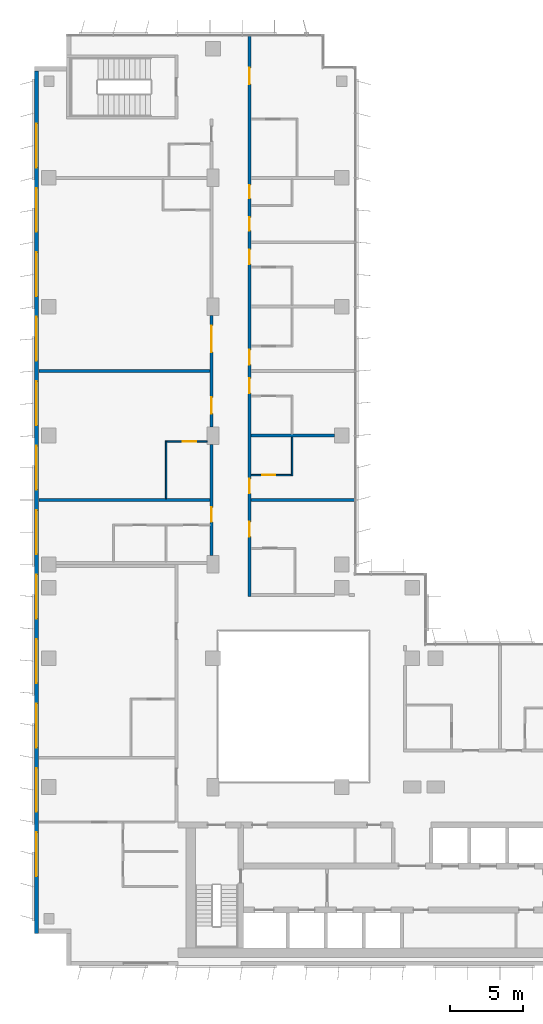
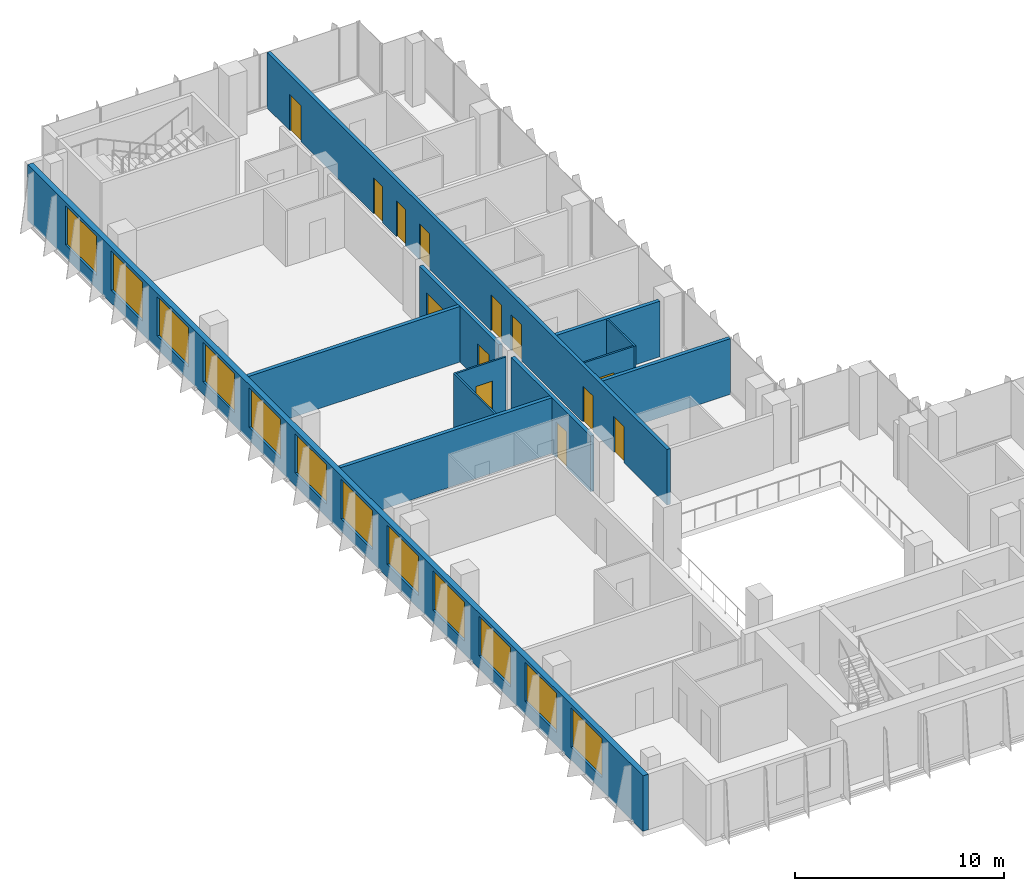
# One storey, part 16 of 21: 13 doors, 12 walls, 12 windows, 25 openings.
"""IFC4 building model written with IfcOpenShell, lengths in metres."""

from ifc_helpers import new_model, si_unit, direction, frame, frame_2d, origin, place, context, subcontext, project, spatial, rectangle, extrude, material, layer, layer_set, type_object, element, fill, save


model = new_model("IFC4")

# Units and contexts
model_context = context("Model", 3, precision=1e-05, world=origin(), true_north=direction((0.0, 1.0)))
body_context = subcontext(model_context, "Body", "Model", "MODEL_VIEW")
ifc_project = project(units=[si_unit("LENGTHUNIT", "METRE"), si_unit("AREAUNIT", "SQUARE_METRE"), si_unit("VOLUMEUNIT", "CUBIC_METRE"), si_unit("PLANEANGLEUNIT", "RADIAN"), si_unit("MASSUNIT", "GRAM", prefix="KILO")], contexts=[model_context])

# Site, building, storey
site_placement = place(None, origin())
site = spatial("IfcSite", under=ifc_project, at=site_placement, CompositionType="ELEMENT")
building_placement = place(site_placement, origin())
building = spatial("IfcBuilding", under=site, at=building_placement, Name="Kemantara Hotel Tower", CompositionType="ELEMENT")
storey_placement = place(building_placement, frame((0.0, 0.0, 219.10009765625)))
storey = spatial("IfcBuildingStorey", under=building, at=storey_placement, Name="L54", CompositionType="ELEMENT", Elevation=219.10009765625)

# Wall, openings, windows
ifc_material_1 = material(Name="Bronze anodised aluminium cladding on insulated steel stud wall", Category="steel")
ifc_layer_1 = layer(ifc_material_1, 0.300048828125)
ifc_layer_set_1 = layer_set([ifc_layer_1], Name="Bronze anodised aluminium cladding on insulated steel stud wall")
wall_type_1 = type_object("IfcWallType", Name="BRONZE METAL-CLAD EXTERNAL WALL 300", PredefinedType="STANDARD", material=ifc_layer_set_1)
wall_1_placement = place(storey_placement, frame((0.14990234375, 61.10009765625, 0.0), z_axis=(0.0, 0.0, 1.0), x_axis=(0.0, -1.0, 0.0)))
wall_1 = element("IfcWall", 1, at=wall_1_placement, inside=storey, type_object=wall_type_1, Name="EXTERNAL WALL L54 T3-R05", PredefinedType="STANDARD", context=body_context, shape_type="SweptSolid", body=[
    extrude(rectangle(XDim=58.900146484375, YDim=0.300048828125, at=frame_2d((29.4501953125, 0.0))), origin(), (0.0, 0.0, 1.0), 3.25),
])
opening_1_placement = place(wall_1_placement, frame((3.60009765625, 0.0, 0.75)))
opening_1 = element("IfcOpeningElement", 2, at=opening_1_placement, cuts=wall_1, Name="Opening W1", PredefinedType="OPENING", context=body_context, shape_type="SweptSolid", body=[
    extrude(rectangle(XDim=3.0, YDim=2.300048828125, at=frame_2d((1.5, 1.14990234375))), frame((0.0, 0.159912109375, 0.0), z_axis=(0.0, -1.0, 0.0), x_axis=(1.0, 0.0, 0.0)), (0.0, 0.0, 1.0), 0.320068359375),
])
opening_2_placement = place(wall_1_placement, frame((8.0, 0.0, 0.75)))
opening_2 = element("IfcOpeningElement", 3, at=opening_2_placement, cuts=wall_1, Name="Opening W1", PredefinedType="OPENING", context=body_context, shape_type="SweptSolid", body=[
    extrude(rectangle(XDim=3.0, YDim=2.300048828125, at=frame_2d((1.5, 1.14990234375))), frame((0.0, 0.159912109375, 0.0), z_axis=(0.0, -1.0, 0.0), x_axis=(1.0, 0.0, 0.0)), (0.0, 0.0, 1.0), 0.320068359375),
])
opening_3_placement = place(wall_1_placement, frame((12.39990234375, 0.0, 0.75)))
opening_3 = element("IfcOpeningElement", 4, at=opening_3_placement, cuts=wall_1, Name="Opening W1", PredefinedType="OPENING", context=body_context, shape_type="SweptSolid", body=[
    extrude(rectangle(XDim=3.0, YDim=2.300048828125, at=frame_2d((1.5, 1.14990234375))), frame((0.0, 0.159912109375, 0.0), z_axis=(0.0, -1.0, 0.0), x_axis=(1.0, 0.0, 0.0)), (0.0, 0.0, 1.0), 0.320068359375),
])
opening_4_placement = place(wall_1_placement, frame((16.800048828125, 0.0, 0.75)))
opening_4 = element("IfcOpeningElement", 5, at=opening_4_placement, cuts=wall_1, Name="Opening W1", PredefinedType="OPENING", context=body_context, shape_type="SweptSolid", body=[
    extrude(rectangle(XDim=3.0, YDim=2.300048828125, at=frame_2d((1.5, 1.14990234375))), frame((0.0, 0.159912109375, 0.0), z_axis=(0.0, -1.0, 0.0), x_axis=(1.0, 0.0, 0.0)), (0.0, 0.0, 1.0), 0.320068359375),
])
opening_5_placement = place(wall_1_placement, frame((21.199951171875, 0.0, 0.75)))
opening_5 = element("IfcOpeningElement", 6, at=opening_5_placement, cuts=wall_1, Name="Opening W1", PredefinedType="OPENING", context=body_context, shape_type="SweptSolid", body=[
    extrude(rectangle(XDim=3.0, YDim=2.300048828125, at=frame_2d((1.5, 1.14990234375))), frame((0.0, 0.159912109375, 0.0), z_axis=(0.0, -1.0, 0.0), x_axis=(1.0, 0.0, 0.0)), (0.0, 0.0, 1.0), 0.320068359375),
])
opening_6_placement = place(wall_1_placement, frame((25.60009765625, 0.0, 0.75)))
opening_6 = element("IfcOpeningElement", 7, at=opening_6_placement, cuts=wall_1, Name="Opening W1", PredefinedType="OPENING", context=body_context, shape_type="SweptSolid", body=[
    extrude(rectangle(XDim=3.0, YDim=2.300048828125, at=frame_2d((1.5, 1.14990234375))), frame((0.0, 0.159912109375, 0.0), z_axis=(0.0, -1.0, 0.0), x_axis=(1.0, 0.0, 0.0)), (0.0, 0.0, 1.0), 0.320068359375),
])
opening_7_placement = place(wall_1_placement, frame((30.0, 0.0, 0.75)))
opening_7 = element("IfcOpeningElement", 8, at=opening_7_placement, cuts=wall_1, Name="Opening W1", PredefinedType="OPENING", context=body_context, shape_type="SweptSolid", body=[
    extrude(rectangle(XDim=3.0, YDim=2.300048828125, at=frame_2d((1.5, 1.14990234375))), frame((0.0, 0.159912109375, 0.0), z_axis=(0.0, -1.0, 0.0), x_axis=(1.0, 0.0, 0.0)), (0.0, 0.0, 1.0), 0.320068359375),
])
opening_8_placement = place(wall_1_placement, frame((34.39990234375, 0.0, 0.75)))
opening_8 = element("IfcOpeningElement", 9, at=opening_8_placement, cuts=wall_1, Name="Opening W1", PredefinedType="OPENING", context=body_context, shape_type="SweptSolid", body=[
    extrude(rectangle(XDim=3.0, YDim=2.300048828125, at=frame_2d((1.5, 1.14990234375))), frame((0.0, 0.159912109375, 0.0), z_axis=(0.0, -1.0, 0.0), x_axis=(1.0, 0.0, 0.0)), (0.0, 0.0, 1.0), 0.320068359375),
])
opening_9_placement = place(wall_1_placement, frame((38.800048828125, 0.0, 0.75)))
opening_9 = element("IfcOpeningElement", 10, at=opening_9_placement, cuts=wall_1, Name="Opening W1", PredefinedType="OPENING", context=body_context, shape_type="SweptSolid", body=[
    extrude(rectangle(XDim=3.0, YDim=2.300048828125, at=frame_2d((1.5, 1.14990234375))), frame((0.0, 0.159912109375, 0.0), z_axis=(0.0, -1.0, 0.0), x_axis=(1.0, 0.0, 0.0)), (0.0, 0.0, 1.0), 0.320068359375),
])
opening_10_placement = place(wall_1_placement, frame((43.199951171875, 0.0, 0.75)))
opening_10 = element("IfcOpeningElement", 11, at=opening_10_placement, cuts=wall_1, Name="Opening W1", PredefinedType="OPENING", context=body_context, shape_type="SweptSolid", body=[
    extrude(rectangle(XDim=3.0, YDim=2.300048828125, at=frame_2d((1.5, 1.14990234375))), frame((0.0, 0.159912109375, 0.0), z_axis=(0.0, -1.0, 0.0), x_axis=(1.0, 0.0, 0.0)), (0.0, 0.0, 1.0), 0.320068359375),
])
opening_11_placement = place(wall_1_placement, frame((47.60009765625, 0.0, 0.75)))
opening_11 = element("IfcOpeningElement", 12, at=opening_11_placement, cuts=wall_1, Name="Opening W1", PredefinedType="OPENING", context=body_context, shape_type="SweptSolid", body=[
    extrude(rectangle(XDim=3.0, YDim=2.300048828125, at=frame_2d((1.5, 1.14990234375))), frame((0.0, 0.159912109375, 0.0), z_axis=(0.0, -1.0, 0.0), x_axis=(1.0, 0.0, 0.0)), (0.0, 0.0, 1.0), 0.320068359375),
])
opening_12_placement = place(wall_1_placement, frame((52.0, 0.0, 0.75)))
opening_12 = element("IfcOpeningElement", 13, at=opening_12_placement, cuts=wall_1, Name="Opening W1", PredefinedType="OPENING", context=body_context, shape_type="SweptSolid", body=[
    extrude(rectangle(XDim=3.0, YDim=2.300048828125, at=frame_2d((1.5, 1.14990234375))), frame((0.0, 0.159912109375, 0.0), z_axis=(0.0, -1.0, 0.0), x_axis=(1.0, 0.0, 0.0)), (0.0, 0.0, 1.0), 0.320068359375),
])
ifc_material_2 = material(Name="Low-E tinted double insulated glass in bronze anodised aluminium frame", Category="aluminium")
window_type = type_object("IfcWindowType", Name="CHICAGO WINDOW, TRIPLE PANEL 3000x2300", PartitioningType="TRIPLE_PANEL_VERTICAL", PredefinedType="WINDOW", material=ifc_material_2)
window_1_placement = place(opening_1_placement, origin())
window_1 = element("IfcWindow", 14, at=window_1_placement, inside=storey, type_object=window_type, Name="CHICAGO WINDOW L54 T3-R05-54", OverallHeight=2.300048828125, OverallWidth=3.0, PartitioningType="SINGLE_PANEL", PredefinedType="WINDOW", context=body_context, shape_type="SweptSolid", body=[
    extrude(rectangle(XDim=3.0, YDim=2.300048828125, at=frame_2d((1.5, 1.14990234375))), frame((0.0, 0.030029296875, 0.0), z_axis=(0.0, -1.0, 0.0), x_axis=(1.0, 0.0, 0.0)), (0.0, 0.0, 1.0), 0.06005859375),
])
fill(opening_1, window_1)
window_2_placement = place(opening_2_placement, origin())
window_2 = element("IfcWindow", 15, at=window_2_placement, inside=storey, type_object=window_type, Name="CHICAGO WINDOW L54 T3-R05-98", OverallHeight=2.300048828125, OverallWidth=3.0, PartitioningType="SINGLE_PANEL", PredefinedType="WINDOW", context=body_context, shape_type="SweptSolid", body=[
    extrude(rectangle(XDim=3.0, YDim=2.300048828125, at=frame_2d((1.5, 1.14990234375))), frame((0.0, 0.030029296875, 0.0), z_axis=(0.0, -1.0, 0.0), x_axis=(1.0, 0.0, 0.0)), (0.0, 0.0, 1.0), 0.06005859375),
])
fill(opening_2, window_2)
window_3_placement = place(opening_3_placement, origin())
window_3 = element("IfcWindow", 16, at=window_3_placement, inside=storey, type_object=window_type, Name="CHICAGO WINDOW L54 T3-R05-142", OverallHeight=2.300048828125, OverallWidth=3.0, PartitioningType="SINGLE_PANEL", PredefinedType="WINDOW", context=body_context, shape_type="SweptSolid", body=[
    extrude(rectangle(XDim=3.0, YDim=2.300048828125, at=frame_2d((1.5, 1.14990234375))), frame((0.0, 0.030029296875, 0.0), z_axis=(0.0, -1.0, 0.0), x_axis=(1.0, 0.0, 0.0)), (0.0, 0.0, 1.0), 0.06005859375),
])
fill(opening_3, window_3)
window_4_placement = place(opening_4_placement, origin())
window_4 = element("IfcWindow", 17, at=window_4_placement, inside=storey, type_object=window_type, Name="CHICAGO WINDOW L54 T3-R05-186", OverallHeight=2.300048828125, OverallWidth=3.0, PartitioningType="SINGLE_PANEL", PredefinedType="WINDOW", context=body_context, shape_type="SweptSolid", body=[
    extrude(rectangle(XDim=3.0, YDim=2.300048828125, at=frame_2d((1.5, 1.14990234375))), frame((0.0, 0.030029296875, 0.0), z_axis=(0.0, -1.0, 0.0), x_axis=(1.0, 0.0, 0.0)), (0.0, 0.0, 1.0), 0.06005859375),
])
fill(opening_4, window_4)
window_5_placement = place(opening_5_placement, origin())
window_5 = element("IfcWindow", 18, at=window_5_placement, inside=storey, type_object=window_type, Name="CHICAGO WINDOW L54 T3-R05-230", OverallHeight=2.300048828125, OverallWidth=3.0, PartitioningType="SINGLE_PANEL", PredefinedType="WINDOW", context=body_context, shape_type="SweptSolid", body=[
    extrude(rectangle(XDim=3.0, YDim=2.300048828125, at=frame_2d((1.5, 1.14990234375))), frame((0.0, 0.030029296875, 0.0), z_axis=(0.0, -1.0, 0.0), x_axis=(1.0, 0.0, 0.0)), (0.0, 0.0, 1.0), 0.06005859375),
])
fill(opening_5, window_5)
window_6_placement = place(opening_6_placement, origin())
window_6 = element("IfcWindow", 19, at=window_6_placement, inside=storey, type_object=window_type, Name="CHICAGO WINDOW L54 T3-R05-274", OverallHeight=2.300048828125, OverallWidth=3.0, PartitioningType="SINGLE_PANEL", PredefinedType="WINDOW", context=body_context, shape_type="SweptSolid", body=[
    extrude(rectangle(XDim=3.0, YDim=2.300048828125, at=frame_2d((1.5, 1.14990234375))), frame((0.0, 0.030029296875, 0.0), z_axis=(0.0, -1.0, 0.0), x_axis=(1.0, 0.0, 0.0)), (0.0, 0.0, 1.0), 0.06005859375),
])
fill(opening_6, window_6)
window_7_placement = place(opening_7_placement, origin())
window_7 = element("IfcWindow", 20, at=window_7_placement, inside=storey, type_object=window_type, Name="CHICAGO WINDOW L54 T3-R05-318", OverallHeight=2.300048828125, OverallWidth=3.0, PartitioningType="SINGLE_PANEL", PredefinedType="WINDOW", context=body_context, shape_type="SweptSolid", body=[
    extrude(rectangle(XDim=3.0, YDim=2.300048828125, at=frame_2d((1.5, 1.14990234375))), frame((0.0, 0.030029296875, 0.0), z_axis=(0.0, -1.0, 0.0), x_axis=(1.0, 0.0, 0.0)), (0.0, 0.0, 1.0), 0.06005859375),
])
fill(opening_7, window_7)
window_8_placement = place(opening_8_placement, origin())
window_8 = element("IfcWindow", 21, at=window_8_placement, inside=storey, type_object=window_type, Name="CHICAGO WINDOW L54 T3-R05-362", OverallHeight=2.300048828125, OverallWidth=3.0, PartitioningType="SINGLE_PANEL", PredefinedType="WINDOW", context=body_context, shape_type="SweptSolid", body=[
    extrude(rectangle(XDim=3.0, YDim=2.300048828125, at=frame_2d((1.5, 1.14990234375))), frame((0.0, 0.030029296875, 0.0), z_axis=(0.0, -1.0, 0.0), x_axis=(1.0, 0.0, 0.0)), (0.0, 0.0, 1.0), 0.06005859375),
])
fill(opening_8, window_8)
window_9_placement = place(opening_9_placement, origin())
window_9 = element("IfcWindow", 22, at=window_9_placement, inside=storey, type_object=window_type, Name="CHICAGO WINDOW L54 T3-R05-406", OverallHeight=2.300048828125, OverallWidth=3.0, PartitioningType="SINGLE_PANEL", PredefinedType="WINDOW", context=body_context, shape_type="SweptSolid", body=[
    extrude(rectangle(XDim=3.0, YDim=2.300048828125, at=frame_2d((1.5, 1.14990234375))), frame((0.0, 0.030029296875, 0.0), z_axis=(0.0, -1.0, 0.0), x_axis=(1.0, 0.0, 0.0)), (0.0, 0.0, 1.0), 0.06005859375),
])
fill(opening_9, window_9)
window_10_placement = place(opening_10_placement, origin())
window_10 = element("IfcWindow", 23, at=window_10_placement, inside=storey, type_object=window_type, Name="CHICAGO WINDOW L54 T3-R05-450", OverallHeight=2.300048828125, OverallWidth=3.0, PartitioningType="SINGLE_PANEL", PredefinedType="WINDOW", context=body_context, shape_type="SweptSolid", body=[
    extrude(rectangle(XDim=3.0, YDim=2.300048828125, at=frame_2d((1.5, 1.14990234375))), frame((0.0, 0.030029296875, 0.0), z_axis=(0.0, -1.0, 0.0), x_axis=(1.0, 0.0, 0.0)), (0.0, 0.0, 1.0), 0.06005859375),
])
fill(opening_10, window_10)
window_11_placement = place(opening_11_placement, origin())
window_11 = element("IfcWindow", 24, at=window_11_placement, inside=storey, type_object=window_type, Name="CHICAGO WINDOW L54 T3-R05-494", OverallHeight=2.300048828125, OverallWidth=3.0, PartitioningType="SINGLE_PANEL", PredefinedType="WINDOW", context=body_context, shape_type="SweptSolid", body=[
    extrude(rectangle(XDim=3.0, YDim=2.300048828125, at=frame_2d((1.5, 1.14990234375))), frame((0.0, 0.030029296875, 0.0), z_axis=(0.0, -1.0, 0.0), x_axis=(1.0, 0.0, 0.0)), (0.0, 0.0, 1.0), 0.06005859375),
])
fill(opening_11, window_11)
window_12_placement = place(opening_12_placement, origin())
window_12 = element("IfcWindow", 25, at=window_12_placement, inside=storey, type_object=window_type, Name="CHICAGO WINDOW L54 T3-R05-538", OverallHeight=2.300048828125, OverallWidth=3.0, PartitioningType="SINGLE_PANEL", PredefinedType="WINDOW", context=body_context, shape_type="SweptSolid", body=[
    extrude(rectangle(XDim=3.0, YDim=2.300048828125, at=frame_2d((1.5, 1.14990234375))), frame((0.0, 0.030029296875, 0.0), z_axis=(0.0, -1.0, 0.0), x_axis=(1.0, 0.0, 0.0)), (0.0, 0.0, 1.0), 0.06005859375),
])
fill(opening_12, window_12)

# Wall, opening, door
ifc_material_3 = material(Name="Gypsum board partition, steel studs and mineral wool, 200 mm", Category="steel")
ifc_layer_2 = layer(ifc_material_3, 0.199951171875)
ifc_layer_set_2 = layer_set([ifc_layer_2], Name="Gypsum board partition, steel studs and mineral wool, 200 mm")
wall_type_2 = type_object("IfcWallType", Name="CORRIDOR WALL 200", PredefinedType="PARTITIONING", material=ifc_layer_set_2)
wall_2_placement = place(storey_placement, frame((12.10009765625, 28.0, 0.0), z_axis=(0.0, 0.0, 1.0), x_axis=(0.0, 1.0, 0.0)))
wall_2 = element("IfcWall", 26, at=wall_2_placement, inside=storey, type_object=wall_type_2, Name="CORRIDOR WALL 200 017", PredefinedType="PARTITIONING", context=body_context, shape_type="SweptSolid", body=[
    extrude(rectangle(XDim=7.599853515625, YDim=0.199951171875, at=frame_2d((3.7998046875, 0.0))), origin(), (0.0, 0.0, 1.0), 3.25),
])
opening_13_placement = place(wall_2_placement, frame((2.2998046875, 0.0, 0.0)))
opening_13 = element("IfcOpeningElement", 27, at=opening_13_placement, cuts=wall_2, Name="Opening F26-025", PredefinedType="OPENING", context=body_context, shape_type="SweptSolid", body=[
    extrude(rectangle(XDim=1.0, YDim=2.10009765625, at=frame_2d((0.5, 1.050048828125))), frame((0.0, 0.10986328125, 0.0), z_axis=(0.0, -1.0, 0.0), x_axis=(1.0, 0.0, 0.0)), (0.0, 0.0, 1.0), 0.219970703125),
])
ifc_material_4 = material(Name="Hardwood veneer door leaf with steel frame", Category="steel")
door_type_1 = type_object("IfcDoorType", Name="GUEST ROOM DOOR 1000 X 2100 FD30S", OperationType="NOTDEFINED", PredefinedType="DOOR", material=ifc_material_4)
door_1_placement = place(opening_13_placement, origin())
door_1 = element("IfcDoor", 28, at=door_1_placement, inside=storey, type_object=door_type_1, Name="GUEST ROOM DOOR F26-025", OperationType="SINGLE_SWING_RIGHT", OverallHeight=2.10009765625, OverallWidth=1.0, PredefinedType="DOOR", context=body_context, shape_type="SweptSolid", body=[
    extrude(rectangle(XDim=1.0, YDim=2.10009765625, at=frame_2d((0.5, 1.050048828125))), frame((0.0, 0.02490234375, 0.0), z_axis=(0.0, -1.0, 0.0), x_axis=(1.0, 0.0, 0.0)), (0.0, 0.0, 1.0), 0.050048828125),
])
fill(opening_13, door_1)

# Wall, openings, doors
wall_3_placement = place(storey_placement, frame((12.10009765625, 36.800048828125, 0.0), z_axis=(0.0, 0.0, 1.0), x_axis=(0.0, 1.0, 0.0)))
wall_3 = element("IfcWall", 29, at=wall_3_placement, inside=storey, type_object=wall_type_2, Name="CORRIDOR WALL 200 018", PredefinedType="PARTITIONING", context=body_context, shape_type="SweptSolid", body=[
    extrude(rectangle(XDim=7.599853515625, YDim=0.199951171875, at=frame_2d((3.7998046875, 0.0))), origin(), (0.0, 0.0, 1.0), 3.25),
])
opening_14_placement = place(wall_3_placement, frame((0.89990234375, 0.0, 0.0)))
opening_14 = element("IfcOpeningElement", 30, at=opening_14_placement, cuts=wall_3, Name="Opening F26-028", PredefinedType="OPENING", context=body_context, shape_type="SweptSolid", body=[
    extrude(rectangle(XDim=1.10009765625, YDim=2.10009765625, at=frame_2d((0.550048828125, 1.050048828125))), frame((0.0, 0.10986328125, 0.0), z_axis=(0.0, -1.0, 0.0), x_axis=(1.0, 0.0, 0.0)), (0.0, 0.0, 1.0), 0.219970703125),
])
opening_15_placement = place(wall_3_placement, frame((5.099853515625, 0.0, 0.0)))
opening_15 = element("IfcOpeningElement", 31, at=opening_15_placement, cuts=wall_3, Name="Opening F26-030", PredefinedType="OPENING", context=body_context, shape_type="SweptSolid", body=[
    extrude(rectangle(XDim=1.800048828125, YDim=2.10009765625, at=frame_2d((0.89990234375, 1.050048828125))), frame((0.0, 0.10986328125, 0.0), z_axis=(0.0, -1.0, 0.0), x_axis=(1.0, 0.0, 0.0)), (0.0, 0.0, 1.0), 0.219970703125),
])
door_type_2 = type_object("IfcDoorType", Name="GUEST ROOM DOOR 1800 X 2100 FD30S", OperationType="NOTDEFINED", PredefinedType="DOOR", material=ifc_material_4)
door_2_placement = place(opening_15_placement, origin())
door_2 = element("IfcDoor", 32, at=door_2_placement, inside=storey, type_object=door_type_2, Name="GUEST ROOM DOOR F26-030", OperationType="DOUBLE_DOOR_SINGLE_SWING", OverallHeight=2.10009765625, OverallWidth=1.800048828125, PredefinedType="DOOR", context=body_context, shape_type="SweptSolid", body=[
    extrude(rectangle(XDim=1.800048828125, YDim=2.10009765625, at=frame_2d((0.89990234375, 1.050048828125))), frame((0.0, 0.02490234375, 0.0), z_axis=(0.0, -1.0, 0.0), x_axis=(1.0, 0.0, 0.0)), (0.0, 0.0, 1.0), 0.050048828125),
])
fill(opening_15, door_2)
door_type_3 = type_object("IfcDoorType", Name="SUITE ENTRANCE DOOR 1100 X 2100 FD30S", OperationType="NOTDEFINED", PredefinedType="DOOR", material=ifc_material_4)
door_3_placement = place(opening_14_placement, origin())
door_3 = element("IfcDoor", 33, at=door_3_placement, inside=storey, type_object=door_type_3, Name="SUITE ENTRANCE DOOR F26-028", OperationType="SINGLE_SWING_RIGHT", OverallHeight=2.10009765625, OverallWidth=1.10009765625, PredefinedType="DOOR", context=body_context, shape_type="SweptSolid", body=[
    extrude(rectangle(XDim=1.10009765625, YDim=2.10009765625, at=frame_2d((0.550048828125, 1.050048828125))), frame((0.0, 0.02490234375, 0.0), z_axis=(0.0, -1.0, 0.0), x_axis=(1.0, 0.0, 0.0)), (0.0, 0.0, 1.0), 0.050048828125),
])
fill(opening_14, door_3)

wall_4_placement = place(storey_placement, frame((14.699951171875, 63.47998046875, 0.0), z_axis=(0.0, 0.0, 1.0), x_axis=(0.0, -1.0, 0.0)))
wall_4 = element("IfcWall", 34, at=wall_4_placement, inside=storey, type_object=wall_type_2, Name="CORRIDOR WALL 200 028", PredefinedType="PARTITIONING", context=body_context, shape_type="SweptSolid", body=[
    extrude(rectangle(XDim=38.280029296875, YDim=0.199951171875, at=frame_2d((19.14013671875, 0.0))), origin(), (0.0, 0.0, 1.0), 3.25),
])
opening_16_placement = place(wall_4_placement, frame((33.179931640625, 0.0, 0.0)))
opening_16 = element("IfcOpeningElement", 35, at=opening_16_placement, cuts=wall_4, Name="Opening F26-034", PredefinedType="OPENING", context=body_context, shape_type="SweptSolid", body=[
    extrude(rectangle(XDim=1.0, YDim=2.10009765625, at=frame_2d((0.5, 1.050048828125))), frame((0.0, 0.10986328125, 0.0), z_axis=(0.0, -1.0, 0.0), x_axis=(1.0, 0.0, 0.0)), (0.0, 0.0, 1.0), 0.219970703125),
])
opening_17_placement = place(wall_4_placement, frame((30.22998046875, 0.0, 0.0)))
opening_17 = element("IfcOpeningElement", 36, at=opening_17_placement, cuts=wall_4, Name="Opening F26-036", PredefinedType="OPENING", context=body_context, shape_type="SweptSolid", body=[
    extrude(rectangle(XDim=1.0, YDim=2.10009765625, at=frame_2d((0.5, 1.050048828125))), frame((0.0, 0.10986328125, 0.0), z_axis=(0.0, -1.0, 0.0), x_axis=(1.0, 0.0, 0.0)), (0.0, 0.0, 1.0), 0.219970703125),
])
opening_18_placement = place(wall_4_placement, frame((23.3798828125, 0.0, 0.0)))
opening_18 = element("IfcOpeningElement", 37, at=opening_18_placement, cuts=wall_4, Name="Opening F26-038", PredefinedType="OPENING", context=body_context, shape_type="SweptSolid", body=[
    extrude(rectangle(XDim=1.0, YDim=2.10009765625, at=frame_2d((0.5, 1.050048828125))), frame((0.0, 0.10986328125, 0.0), z_axis=(0.0, -1.0, 0.0), x_axis=(1.0, 0.0, 0.0)), (0.0, 0.0, 1.0), 0.219970703125),
])
opening_19_placement = place(wall_4_placement, frame((21.429931640625, 0.0, 0.0)))
opening_19 = element("IfcOpeningElement", 38, at=opening_19_placement, cuts=wall_4, Name="Opening F26-040", PredefinedType="OPENING", context=body_context, shape_type="SweptSolid", body=[
    extrude(rectangle(XDim=1.0, YDim=2.10009765625, at=frame_2d((0.5, 1.050048828125))), frame((0.0, 0.10986328125, 0.0), z_axis=(0.0, -1.0, 0.0), x_axis=(1.0, 0.0, 0.0)), (0.0, 0.0, 1.0), 0.219970703125),
])
opening_20_placement = place(wall_4_placement, frame((14.579833984375, 0.0, 0.0)))
opening_20 = element("IfcOpeningElement", 39, at=opening_20_placement, cuts=wall_4, Name="Opening F26-042", PredefinedType="OPENING", context=body_context, shape_type="SweptSolid", body=[
    extrude(rectangle(XDim=1.0, YDim=2.10009765625, at=frame_2d((0.5, 1.050048828125))), frame((0.0, 0.10986328125, 0.0), z_axis=(0.0, -1.0, 0.0), x_axis=(1.0, 0.0, 0.0)), (0.0, 0.0, 1.0), 0.219970703125),
])
opening_21_placement = place(wall_4_placement, frame((12.3798828125, 0.0, 0.0)))
opening_21 = element("IfcOpeningElement", 40, at=opening_21_placement, cuts=wall_4, Name="Opening F26-044", PredefinedType="OPENING", context=body_context, shape_type="SweptSolid", body=[
    extrude(rectangle(XDim=0.89990234375, YDim=2.10009765625, at=frame_2d((0.449951171875, 1.050048828125))), frame((0.0, 0.10986328125, 0.0), z_axis=(0.0, -1.0, 0.0), x_axis=(1.0, 0.0, 0.0)), (0.0, 0.0, 1.0), 0.219970703125),
])
opening_22_placement = place(wall_4_placement, frame((10.179931640625, 0.0, 0.0)))
opening_22 = element("IfcOpeningElement", 41, at=opening_22_placement, cuts=wall_4, Name="Opening F26-045", PredefinedType="OPENING", context=body_context, shape_type="SweptSolid", body=[
    extrude(rectangle(XDim=0.89990234375, YDim=2.10009765625, at=frame_2d((0.449951171875, 1.050048828125))), frame((0.0, 0.10986328125, 0.0), z_axis=(0.0, -1.0, 0.0), x_axis=(1.0, 0.0, 0.0)), (0.0, 0.0, 1.0), 0.219970703125),
])
opening_23_placement = place(wall_4_placement, frame((2.179931640625, 0.0, 0.0)))
opening_23 = element("IfcOpeningElement", 42, at=opening_23_placement, cuts=wall_4, Name="Opening F26-046", PredefinedType="OPENING", context=body_context, shape_type="SweptSolid", body=[
    extrude(rectangle(XDim=1.10009765625, YDim=2.10009765625, at=frame_2d((0.550048828125, 1.050048828125))), frame((0.0, 0.10986328125, 0.0), z_axis=(0.0, -1.0, 0.0), x_axis=(1.0, 0.0, 0.0)), (0.0, 0.0, 1.0), 0.219970703125),
])
door_4_placement = place(opening_16_placement, origin())
door_4 = element("IfcDoor", 43, at=door_4_placement, inside=storey, type_object=door_type_1, Name="GUEST ROOM DOOR F26-034", OperationType="SINGLE_SWING_LEFT", OverallHeight=2.10009765625, OverallWidth=1.0, PredefinedType="DOOR", context=body_context, shape_type="SweptSolid", body=[
    extrude(rectangle(XDim=1.0, YDim=2.10009765625, at=frame_2d((0.5, 1.050048828125))), frame((0.0, 0.02490234375, 0.0), z_axis=(0.0, -1.0, 0.0), x_axis=(1.0, 0.0, 0.0)), (0.0, 0.0, 1.0), 0.050048828125),
])
fill(opening_16, door_4)
door_5_placement = place(opening_17_placement, origin())
door_5 = element("IfcDoor", 44, at=door_5_placement, inside=storey, type_object=door_type_1, Name="GUEST ROOM DOOR F26-036", OperationType="SINGLE_SWING_RIGHT", OverallHeight=2.10009765625, OverallWidth=1.0, PredefinedType="DOOR", context=body_context, shape_type="SweptSolid", body=[
    extrude(rectangle(XDim=1.0, YDim=2.10009765625, at=frame_2d((0.5, 1.050048828125))), frame((0.0, 0.02490234375, 0.0), z_axis=(0.0, -1.0, 0.0), x_axis=(1.0, 0.0, 0.0)), (0.0, 0.0, 1.0), 0.050048828125),
])
fill(opening_17, door_5)
door_6_placement = place(opening_18_placement, origin())
door_6 = element("IfcDoor", 45, at=door_6_placement, inside=storey, type_object=door_type_1, Name="GUEST ROOM DOOR F26-038", OperationType="SINGLE_SWING_LEFT", OverallHeight=2.10009765625, OverallWidth=1.0, PredefinedType="DOOR", context=body_context, shape_type="SweptSolid", body=[
    extrude(rectangle(XDim=1.0, YDim=2.10009765625, at=frame_2d((0.5, 1.050048828125))), frame((0.0, 0.02490234375, 0.0), z_axis=(0.0, -1.0, 0.0), x_axis=(1.0, 0.0, 0.0)), (0.0, 0.0, 1.0), 0.050048828125),
])
fill(opening_18, door_6)
door_7_placement = place(opening_19_placement, origin())
door_7 = element("IfcDoor", 46, at=door_7_placement, inside=storey, type_object=door_type_1, Name="GUEST ROOM DOOR F26-040", OperationType="SINGLE_SWING_RIGHT", OverallHeight=2.10009765625, OverallWidth=1.0, PredefinedType="DOOR", context=body_context, shape_type="SweptSolid", body=[
    extrude(rectangle(XDim=1.0, YDim=2.10009765625, at=frame_2d((0.5, 1.050048828125))), frame((0.0, 0.02490234375, 0.0), z_axis=(0.0, -1.0, 0.0), x_axis=(1.0, 0.0, 0.0)), (0.0, 0.0, 1.0), 0.050048828125),
])
fill(opening_19, door_7)
door_8_placement = place(opening_20_placement, origin())
door_8 = element("IfcDoor", 47, at=door_8_placement, inside=storey, type_object=door_type_1, Name="GUEST ROOM DOOR F26-042", OperationType="SINGLE_SWING_LEFT", OverallHeight=2.10009765625, OverallWidth=1.0, PredefinedType="DOOR", context=body_context, shape_type="SweptSolid", body=[
    extrude(rectangle(XDim=1.0, YDim=2.10009765625, at=frame_2d((0.5, 1.050048828125))), frame((0.0, 0.02490234375, 0.0), z_axis=(0.0, -1.0, 0.0), x_axis=(1.0, 0.0, 0.0)), (0.0, 0.0, 1.0), 0.050048828125),
])
fill(opening_20, door_8)
ifc_material_5 = material(Name="Steel door leaf with steel frame", Category="steel")
door_type_4 = type_object("IfcDoorType", Name="SERVICE ROOM DOOR 900 X 2100 FD60", OperationType="NOTDEFINED", PredefinedType="DOOR", material=ifc_material_5)
door_9_placement = place(opening_21_placement, origin())
door_9 = element("IfcDoor", 48, at=door_9_placement, inside=storey, type_object=door_type_4, Name="SERVICE ROOM DOOR F26-044", OperationType="SINGLE_SWING_RIGHT", OverallHeight=2.10009765625, OverallWidth=0.89990234375, PredefinedType="DOOR", context=body_context, shape_type="SweptSolid", body=[
    extrude(rectangle(XDim=0.89990234375, YDim=2.10009765625, at=frame_2d((0.449951171875, 1.050048828125))), frame((0.0, 0.02490234375, 0.0), z_axis=(0.0, -1.0, 0.0), x_axis=(1.0, 0.0, 0.0)), (0.0, 0.0, 1.0), 0.050048828125),
])
fill(opening_21, door_9)
door_10_placement = place(opening_22_placement, origin())
door_10 = element("IfcDoor", 49, at=door_10_placement, inside=storey, type_object=door_type_4, Name="SERVICE ROOM DOOR F26-045", OperationType="SINGLE_SWING_LEFT", OverallHeight=2.10009765625, OverallWidth=0.89990234375, PredefinedType="DOOR", context=body_context, shape_type="SweptSolid", body=[
    extrude(rectangle(XDim=0.89990234375, YDim=2.10009765625, at=frame_2d((0.449951171875, 1.050048828125))), frame((0.0, 0.02490234375, 0.0), z_axis=(0.0, -1.0, 0.0), x_axis=(1.0, 0.0, 0.0)), (0.0, 0.0, 1.0), 0.050048828125),
])
fill(opening_22, door_10)
door_11_placement = place(opening_23_placement, origin())
door_11 = element("IfcDoor", 50, at=door_11_placement, inside=storey, type_object=door_type_3, Name="SUITE ENTRANCE DOOR F26-046", OperationType="SINGLE_SWING_LEFT", OverallHeight=2.10009765625, OverallWidth=1.10009765625, PredefinedType="DOOR", context=body_context, shape_type="SweptSolid", body=[
    extrude(rectangle(XDim=1.10009765625, YDim=2.10009765625, at=frame_2d((0.550048828125, 1.050048828125))), frame((0.0, 0.02490234375, 0.0), z_axis=(0.0, -1.0, 0.0), x_axis=(1.0, 0.0, 0.0)), (0.0, 0.0, 1.0), 0.050048828125),
])
fill(opening_23, door_11)

# Walls
ifc_layer_3 = layer(ifc_material_3, 0.199951171875)
ifc_layer_set_3 = layer_set([ifc_layer_3], Name="Gypsum board partition, steel studs and mineral wool, 200 mm")
wall_type_3 = type_object("IfcWallType", Name="GUEST ROOM PARTY WALL 200", PredefinedType="PARTITIONING", material=ifc_layer_set_3)
wall_5_placement = place(storey_placement, frame((0.31005859375, 31.800048828125, 0.0), z_axis=(0.0, 0.0, 1.0), x_axis=(1.0, 0.0, 0.0)))
element("IfcWall", 51, at=wall_5_placement, inside=storey, type_object=wall_type_3, Name="GUEST ROOM PARTY WALL 200 022", PredefinedType="PARTITIONING", context=body_context, shape_type="SweptSolid", body=[
    extrude(rectangle(XDim=11.68994140625, YDim=0.199951171875, at=frame_2d((5.844970703125, 0.0))), origin(), (0.0, 0.0, 1.0), 3.25),
])
wall_6_placement = place(storey_placement, frame((14.800048828125, 31.800048828125, 0.0), z_axis=(0.0, 0.0, 1.0), x_axis=(1.0, 0.0, 0.0)))
element("IfcWall", 52, at=wall_6_placement, inside=storey, type_object=wall_type_3, Name="GUEST ROOM PARTY WALL 200 023", PredefinedType="PARTITIONING", context=body_context, shape_type="SweptSolid", body=[
    extrude(rectangle(XDim=7.070068359375, YDim=0.199951171875, at=frame_2d((3.53515625, 0.0))), origin(), (0.0, 0.0, 1.0), 3.25),
])
wall_7_placement = place(storey_placement, frame((0.31005859375, 40.60009765625, 0.0), z_axis=(0.0, 0.0, 1.0), x_axis=(1.0, 0.0, 0.0)))
element("IfcWall", 53, at=wall_7_placement, inside=storey, type_object=wall_type_3, Name="GUEST ROOM PARTY WALL 200 024", PredefinedType="PARTITIONING", context=body_context, shape_type="SweptSolid", body=[
    extrude(rectangle(XDim=11.68994140625, YDim=0.199951171875, at=frame_2d((5.844970703125, 0.0))), origin(), (0.0, 0.0, 1.0), 3.25),
])
wall_8_placement = place(storey_placement, frame((14.800048828125, 36.199951171875, 0.0), z_axis=(0.0, 0.0, 1.0), x_axis=(1.0, 0.0, 0.0)))
element("IfcWall", 54, at=wall_8_placement, inside=storey, type_object=wall_type_3, Name="GUEST ROOM PARTY WALL 200 031", PredefinedType="PARTITIONING", context=body_context, shape_type="SweptSolid", body=[
    extrude(rectangle(XDim=5.699951171875, YDim=0.199951171875, at=frame_2d((2.85009765625, 0.0))), origin(), (0.0, 0.0, 1.0), 3.25),
])
ifc_material_6 = material(Name="Gypsum board partition on steel studs, 100 mm", Category="steel")
ifc_layer_4 = layer(ifc_material_6, 0.10009765625)
ifc_layer_set_4 = layer_set([ifc_layer_4], Name="Gypsum board partition on steel studs, 100 mm")
wall_type_4 = type_object("IfcWallType", Name="ROOM PARTITION 100", PredefinedType="PARTITIONING", material=ifc_layer_set_4)
wall_9_placement = place(storey_placement, frame((9.0, 31.89990234375, 0.0), z_axis=(0.0, 0.0, 1.0), x_axis=(0.0, 1.0, 0.0)))
element("IfcWall", 55, at=wall_9_placement, inside=storey, type_object=wall_type_4, Name="ROOM PARTITION 100 062", PredefinedType="PARTITIONING", context=body_context, shape_type="SweptSolid", body=[
    extrude(rectangle(XDim=3.9501953125, YDim=0.10009765625, at=frame_2d((1.97509765625, 0.0))), origin(), (0.0, 0.0, 1.0), 3.25),
])

# Wall, opening, door
wall_10_placement = place(storey_placement, frame((11.7998046875, 35.800048828125, 0.0), z_axis=(0.0, 0.0, 1.0), x_axis=(-1.0, 0.0, 0.0)))
wall_10 = element("IfcWall", 56, at=wall_10_placement, inside=storey, type_object=wall_type_4, Name="ROOM PARTITION 100 064", PredefinedType="PARTITIONING", context=body_context, shape_type="SweptSolid", body=[
    extrude(rectangle(XDim=2.749755859375, YDim=0.10009765625, at=frame_2d((1.375, 0.0))), origin(), (0.0, 0.0, 1.0), 3.25),
])
opening_24_placement = place(wall_10_placement, frame((0.75, 0.0, 0.0)))
opening_24 = element("IfcOpeningElement", 57, at=opening_24_placement, cuts=wall_10, Name="Opening F26-029", PredefinedType="OPENING", context=body_context, shape_type="SweptSolid", body=[
    extrude(rectangle(XDim=0.89990234375, YDim=2.10009765625, at=frame_2d((0.449951171875, 1.050048828125))), frame((0.0, 0.06005859375, 0.0), z_axis=(0.0, -1.0, 0.0), x_axis=(1.0, 0.0, 0.0)), (0.0, 0.0, 1.0), 0.1201171875),
])
door_type_5 = type_object("IfcDoorType", Name="BATHROOM DOOR 900 X 2100", OperationType="NOTDEFINED", PredefinedType="DOOR", material=ifc_material_4)
door_12_placement = place(opening_24_placement, origin())
door_12 = element("IfcDoor", 58, at=door_12_placement, inside=storey, type_object=door_type_5, Name="BATHROOM DOOR F26-029", OperationType="SINGLE_SWING_LEFT", OverallHeight=2.10009765625, OverallWidth=0.89990234375, PredefinedType="DOOR", context=body_context, shape_type="SweptSolid", body=[
    extrude(rectangle(XDim=0.89990234375, YDim=2.10009765625, at=frame_2d((0.449951171875, 1.050048828125))), frame((0.0, 0.02490234375, 0.0), z_axis=(0.0, -1.0, 0.0), x_axis=(1.0, 0.0, 0.0)), (0.0, 0.0, 1.0), 0.050048828125),
])
fill(opening_24, door_12)

# Wall
wall_11_placement = place(storey_placement, frame((17.60009765625, 33.449951171875, 0.0), z_axis=(0.0, 0.0, 1.0), x_axis=(0.0, 1.0, 0.0)))
element("IfcWall", 59, at=wall_11_placement, inside=storey, type_object=wall_type_4, Name="ROOM PARTITION 100 071", PredefinedType="PARTITIONING", context=body_context, shape_type="SweptSolid", body=[
    extrude(rectangle(XDim=2.650146484375, YDim=0.10009765625, at=frame_2d((1.3251953125, 0.0))), origin(), (0.0, 0.0, 1.0), 3.25),
])

# Wall, opening, door
wall_12_placement = place(storey_placement, frame((14.800048828125, 33.5, 0.0), z_axis=(0.0, 0.0, 1.0), x_axis=(1.0, 0.0, 0.0)))
wall_12 = element("IfcWall", 60, at=wall_12_placement, inside=storey, type_object=wall_type_4, Name="ROOM PARTITION 100 076", PredefinedType="PARTITIONING", context=body_context, shape_type="SweptSolid", body=[
    extrude(rectangle(XDim=2.75, YDim=0.10009765625, at=frame_2d((1.375, 0.0))), origin(), (0.0, 0.0, 1.0), 3.25),
])
opening_25_placement = place(wall_12_placement, frame((0.75, 0.0, 0.0)))
opening_25 = element("IfcOpeningElement", 61, at=opening_25_placement, cuts=wall_12, Name="Opening F26-037", PredefinedType="OPENING", context=body_context, shape_type="SweptSolid", body=[
    extrude(rectangle(XDim=0.89990234375, YDim=2.10009765625, at=frame_2d((0.449951171875, 1.050048828125))), frame((0.0, 0.06005859375, 0.0), z_axis=(0.0, -1.0, 0.0), x_axis=(1.0, 0.0, 0.0)), (0.0, 0.0, 1.0), 0.1201171875),
])
door_13_placement = place(opening_25_placement, origin())
door_13 = element("IfcDoor", 62, at=door_13_placement, inside=storey, type_object=door_type_5, Name="BATHROOM DOOR F26-037", OperationType="SINGLE_SWING_LEFT", OverallHeight=2.10009765625, OverallWidth=0.89990234375, PredefinedType="DOOR", context=body_context, shape_type="SweptSolid", body=[
    extrude(rectangle(XDim=0.89990234375, YDim=2.10009765625, at=frame_2d((0.449951171875, 1.050048828125))), frame((0.0, 0.02490234375, 0.0), z_axis=(0.0, -1.0, 0.0), x_axis=(1.0, 0.0, 0.0)), (0.0, 0.0, 1.0), 0.050048828125),
])
fill(opening_25, door_13)

save(model, "model.ifc")
